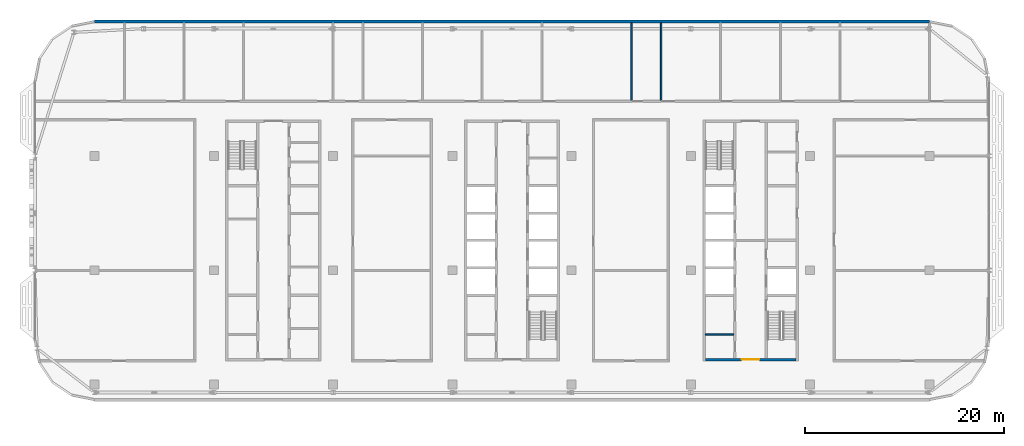
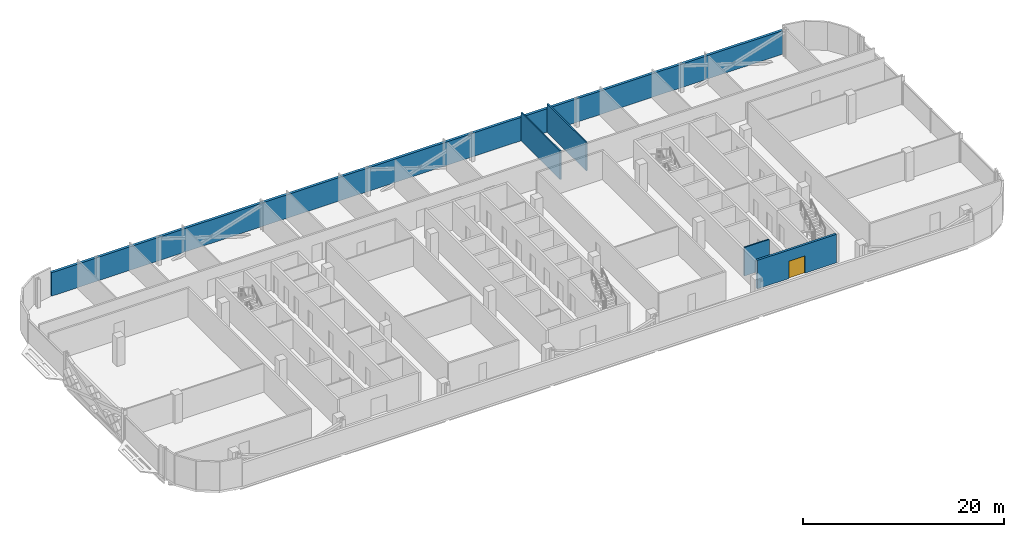
# One storey, part 18 of 29: 5 walls, 1 door, 1 opening.
"""IFC4 building model written with IfcOpenShell, lengths in metres."""

from ifc_helpers import new_model, si_unit, direction, frame, frame_2d, origin, place, context, subcontext, project, spatial, rectangle, extrude, material, layer, layer_set, type_object, element, fill, save


model = new_model("IFC4")

# Units and contexts
model_context = context("Model", 3, precision=1e-05, world=origin(), true_north=direction((0.0, 1.0)))
body_context = subcontext(model_context, "Body", "Model", "MODEL_VIEW")
ifc_project = project(units=[si_unit("LENGTHUNIT", "METRE"), si_unit("AREAUNIT", "SQUARE_METRE"), si_unit("VOLUMEUNIT", "CUBIC_METRE"), si_unit("PLANEANGLEUNIT", "RADIAN"), si_unit("MASSUNIT", "GRAM", prefix="KILO")], contexts=[model_context])

# Site, building, storey
site_placement = place(None, origin())
site = spatial("IfcSite", under=ifc_project, at=site_placement, CompositionType="ELEMENT")
building_placement = place(site_placement, origin())
building = spatial("IfcBuilding", under=site, at=building_placement, Name="Mahtab Terrace Research Tower", CompositionType="ELEMENT")
storey_placement = place(building_placement, frame((0.0, 0.0, 274.699951171875)))
storey = spatial("IfcBuildingStorey", under=building, at=storey_placement, Name="L67", CompositionType="ELEMENT", Elevation=274.699951171875)

# Wall
ifc_material_1 = material(Name="Gypsum board partition")
ifc_layer_1 = layer(ifc_material_1, 0.14990234375)
ifc_layer_set_1 = layer_set([ifc_layer_1], Name="Core partition 150")
wall_type_1 = type_object("IfcWallType", Name="Core partition 150", PredefinedType="PARTITIONING", material=ifc_layer_set_1)
wall_1_placement = place(storey_placement, frame((19.449951171875, -6.47509765625, 0.0), z_axis=(0.0, 0.0, 1.0), x_axis=(1.0, 0.0, 0.0)))
element("IfcWall", 1, at=wall_1_placement, inside=storey, type_object=wall_type_1, Name="Core wall C pWS-948", PredefinedType="PARTITIONING", context=body_context, shape_type="SweptSolid", body=[
    extrude(rectangle(XDim=2.85009765625, YDim=0.14990234375, at=frame_2d((1.425048828125, 0.0))), origin(), (0.0, 0.0, 1.0), 3.4599609375),
])

# Wall, opening, door
ifc_material_2 = material(Name="Concrete C70/85", Category="concrete")
ifc_layer_2 = layer(ifc_material_2, 0.25)
ifc_layer_set_2 = layer_set([ifc_layer_2], Name="Core wall 250")
wall_type_2 = type_object("IfcWallType", Name="Core wall 250", PredefinedType="SOLIDWALL", material=ifc_layer_set_2)
wall_2_placement = place(storey_placement, frame((28.550048828125, -9.0, 0.0), z_axis=(0.0, 0.0, 1.0), x_axis=(-1.0, 0.0, 0.0)))
wall_2 = element("IfcWall", 2, at=wall_2_placement, inside=storey, type_object=wall_type_2, Name="Core wall C endS", PredefinedType="SOLIDWALL", context=body_context, shape_type="SweptSolid", body=[
    extrude(rectangle(XDim=9.10009765625, YDim=0.25, at=frame_2d((4.550048828125, 0.0))), origin(), (0.0, 0.0, 1.0), 3.4599609375),
])
opening_placement = place(wall_2_placement, frame((3.64990234375, 0.0, 0.0)))
opening = element("IfcOpeningElement", 3, at=opening_placement, cuts=wall_2, Name="Opening C-S1", PredefinedType="OPENING", context=body_context, shape_type="SweptSolid", body=[
    extrude(rectangle(XDim=1.800048828125, YDim=2.10009765625, at=frame_2d((0.89990234375, 1.050048828125))), frame((0.0, 0.135009765625, 0.0), z_axis=(0.0, -1.0, 0.0), x_axis=(1.0, 0.0, 0.0)), (0.0, 0.0, 1.0), 0.27001953125),
])
ifc_material_3 = material(Name="Steel fire door", Category="steel")
door_type = type_object("IfcDoorType", Name="Lobby double door 1800x2100 1 HR", OperationType="DOUBLE_DOOR_SINGLE_SWING", PredefinedType="DOOR", material=ifc_material_3)
door_placement = place(opening_placement, origin())
door = element("IfcDoor", 4, at=door_placement, inside=storey, type_object=door_type, Name="Core entrance door C S", OperationType="DOUBLE_DOOR_SINGLE_SWING", OverallHeight=2.10009765625, OverallWidth=1.800048828125, PredefinedType="DOOR", context=body_context, shape_type="SweptSolid", body=[
    extrude(rectangle(XDim=1.800048828125, YDim=2.10009765625, at=frame_2d((0.89990234375, 1.050048828125))), frame((0.0, 0.02490234375, 0.0), z_axis=(0.0, -1.0, 0.0), x_axis=(1.0, 0.0, 0.0)), (0.0, 0.0, 1.0), 0.050048828125),
])
fill(opening, door)

# Walls
ifc_material_4 = material(Name="Black aluminium cladding panel", Category="aluminium")
ifc_layer_3 = layer(ifc_material_4, 0.300048828125)
ifc_layer_set_3 = layer_set([ifc_layer_3], Name="Opaque facade wall 300")
wall_type_3 = type_object("IfcWallType", Name="Opaque facade wall 300", PredefinedType="NOTDEFINED", material=ifc_layer_set_3)
wall_3_placement = place(storey_placement, frame((42.0, 25.029052734375, 0.0), z_axis=(0.0, 0.0, 1.0), x_axis=(-1.0, 0.0, 0.0)))
element("IfcWall", 5, at=wall_3_placement, inside=storey, type_object=wall_type_3, Name="Opaque facade wall L67 N3", PredefinedType="NOTDEFINED", context=body_context, shape_type="SweptSolid", body=[
    extrude(rectangle(XDim=84.0, YDim=0.300048828125, at=frame_2d((42.0, 0.0))), origin(), (0.0, 0.0, 1.0), 2.85302734375),
])
ifc_material_5 = material(Name="Gypsum board partition on steel studs", Category="steel")
ifc_layer_4 = layer(ifc_material_5, 0.14990234375)
ifc_layer_set_4 = layer_set([ifc_layer_4], Name="WALL PARTITION 150")
wall_type_4 = type_object("IfcWallType", Name="WALL PARTITION 150", PredefinedType="PARTITIONING", material=ifc_layer_set_4)
for number, where, z_axis, x_axis, name in (
    (6, (12.0, 17.10009765625, 0.0), (0.0, 0.0, 1.0), (0.0, 1.0, 0.0), "L67-W033"),
    (7, (15.0, 17.10009765625, 0.0), (0.0, 0.0, 1.0), (0.0, 1.0, 0.0), "L67-W034"),
):
    element("IfcWall", number, at=place(storey_placement, frame(where, z_axis=z_axis, x_axis=x_axis)), inside=storey, type_object=wall_type_4, Name=name, PredefinedType="PARTITIONING", context=body_context, shape_type="SweptSolid", body=[
        extrude(rectangle(XDim=7.77880859375, YDim=0.14990234375, at=frame_2d((3.889404296875, 0.0))), origin(), (0.0, 0.0, 1.0), 3.4599609375),
    ])

save(model, "model.ifc")
